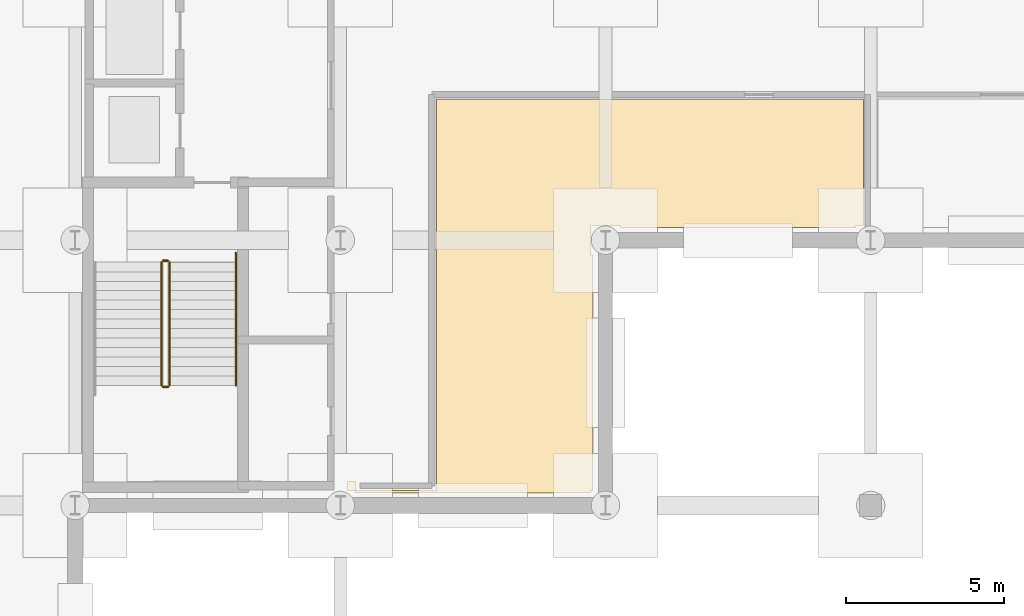
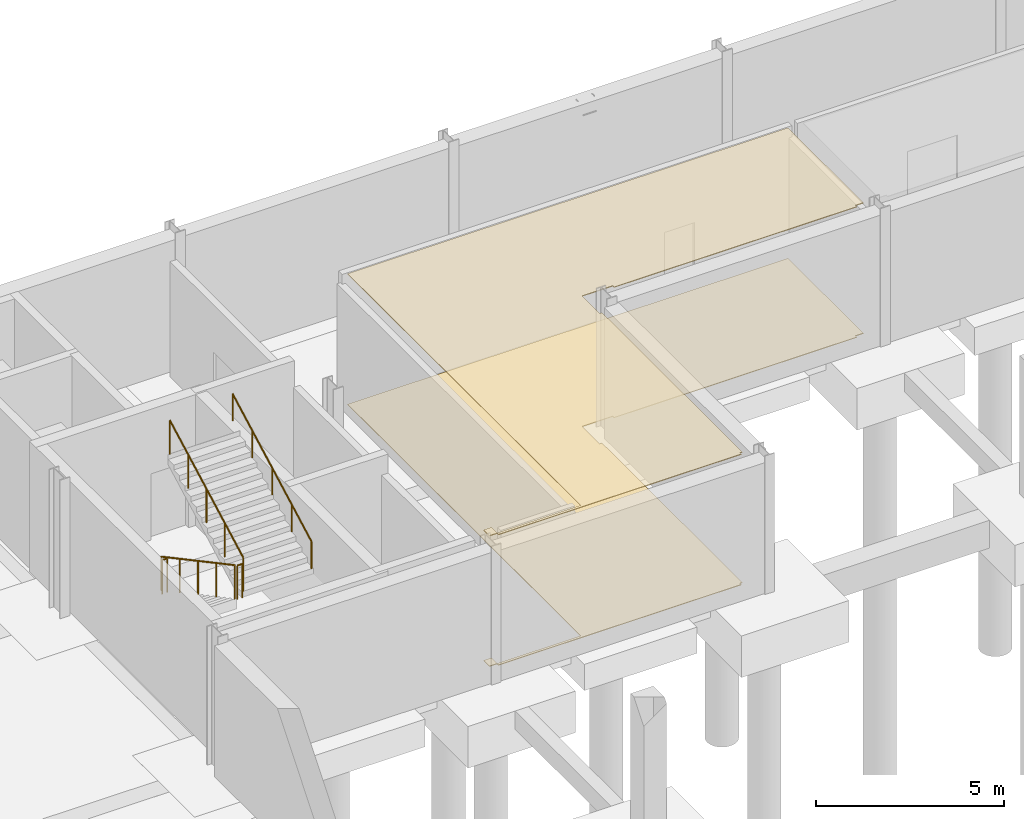
# One storey, part 38 of 43: 5 railings, 2 coverings.
"""IFC4 building model written with IfcOpenShell, lengths in metres."""

from ifc_helpers import new_model, si_unit, direction, frame, origin, origin_2d, place, context, subcontext, project, spatial, polyline, circle, outline, extrude, material, layer, layer_set, type_object, element, save


model = new_model("IFC4")

# Units and contexts
model_context = context("Model", 3, precision=1e-05, world=origin(), true_north=direction((0.0, 1.0)))
body_context = subcontext(model_context, "Body", "Model", "MODEL_VIEW")
ifc_project = project(units=[si_unit("LENGTHUNIT", "METRE"), si_unit("AREAUNIT", "SQUARE_METRE"), si_unit("VOLUMEUNIT", "CUBIC_METRE"), si_unit("PLANEANGLEUNIT", "RADIAN"), si_unit("MASSUNIT", "GRAM", prefix="KILO")], contexts=[model_context])

# Site, building, storey
site_placement = place(None, origin())
site = spatial("IfcSite", under=ifc_project, at=site_placement, CompositionType="ELEMENT")
building_placement = place(site_placement, origin())
building = spatial("IfcBuilding", under=site, at=building_placement, Name="Mersafa Astral City Hall", CompositionType="ELEMENT")
storey_placement = place(building_placement, frame((0.0, 0.0, -4.5)))
storey = spatial("IfcBuildingStorey", under=building, at=storey_placement, Name="B1", CompositionType="ELEMENT", Elevation=-4.5)

# Railings
ifc_material_1 = material(Name="Painted architectural steel stair guard balustrade", Category="steel")
railing_type_1 = type_object("IfcRailingType", Name="GUARD-RAIL", PredefinedType="BALUSTRADE", material=ifc_material_1)
railing_1_placement = place(storey_placement, frame((44.72998046875, 116.89990234375, 0.16064453125)))
element("IfcRailing", 1, at=railing_1_placement, inside=storey, type_object=railing_type_1, Name="B1 ST3 stair guard 1", PredefinedType="BALUSTRADE", context=body_context, shape_type="SweptSolid", body=[
    extrude(circle(Radius=0.02392578125, at=origin_2d()), frame((0.0, 0.0, 1.09619140625), z_axis=(0.0, -0.881468485026, 0.472242850561), x_axis=(1.0, 0.0, 0.0)), (0.0, 0.0, 1.0), 4.42431640625),
    extrude(circle(Radius=0.02099609375, at=origin_2d()), origin(), (0.0, 0.0, 1.0), 1.072021484375),
    extrude(circle(Radius=0.02099609375, at=origin_2d()), frame((0.0, -0.97509765625, 0.5224609375)), (0.0, 0.0, 1.0), 1.072021484375),
    extrude(circle(Radius=0.02099609375, at=origin_2d()), frame((0.0, -1.949951171875, 1.044677734375)), (0.0, 0.0, 1.0), 1.072021484375),
    extrude(circle(Radius=0.02099609375, at=origin_2d()), frame((0.0, -2.9248046875, 1.56689453125)), (0.0, 0.0, 1.0), 1.072021484375),
    extrude(circle(Radius=0.02099609375, at=origin_2d()), frame((0.0, -3.89990234375, 2.08935546875)), (0.0, 0.0, 1.0), 1.072021484375),
])
railing_2_placement = place(storey_placement, frame((44.780029296875, 112.949951171875, 2.25)))
element("IfcRailing", 2, at=railing_2_placement, inside=storey, type_object=railing_type_1, Name="B1 ST3 stair guard 2", PredefinedType="BALUSTRADE", context=body_context, shape_type="SweptSolid", body=[
    extrude(circle(Radius=0.02392578125, at=origin_2d()), frame((0.0, 0.0, 1.09619140625), z_axis=(1.0, 0.0, 0.0), x_axis=(0.0, 1.0, 0.0)), (0.0, 0.0, 1.0), 0.159912109375),
    extrude(circle(Radius=0.02099609375, at=origin_2d()), origin(), (0.0, 0.0, 1.0), 1.072021484375),
    extrude(circle(Radius=0.02099609375, at=origin_2d()), frame((0.159912109375, 0.0, 0.0)), (0.0, 0.0, 1.0), 1.072021484375),
])
railing_3_placement = place(storey_placement, frame((44.989990234375, 113.0, 2.41064453125)))
element("IfcRailing", 3, at=railing_3_placement, inside=storey, type_object=railing_type_1, Name="B1 ST3 stair guard 3", PredefinedType="BALUSTRADE", context=body_context, shape_type="SweptSolid", body=[
    extrude(circle(Radius=0.02392578125, at=origin_2d()), frame((0.0, 0.0, 1.09619140625), z_axis=(0.0, 0.881468485026, 0.472242850561), x_axis=(-1.0, 0.0, 0.0)), (0.0, 0.0, 1.0), 4.42431640625),
    extrude(circle(Radius=0.02099609375, at=origin_2d()), origin(), (0.0, 0.0, 1.0), 1.072021484375),
    extrude(circle(Radius=0.02099609375, at=origin_2d()), frame((0.0, 0.97509765625, 0.5224609375)), (0.0, 0.0, 1.0), 1.072021484375),
    extrude(circle(Radius=0.02099609375, at=origin_2d()), frame((0.0, 1.949951171875, 1.044677734375)), (0.0, 0.0, 1.0), 1.072021484375),
    extrude(circle(Radius=0.02099609375, at=origin_2d()), frame((0.0, 2.9248046875, 1.56689453125)), (0.0, 0.0, 1.0), 1.072021484375),
    extrude(circle(Radius=0.02099609375, at=origin_2d()), frame((0.0, 3.89990234375, 2.08935546875)), (0.0, 0.0, 1.0), 1.072021484375),
])
railing_4_placement = place(storey_placement, frame((44.780029296875, 116.949951171875, 0.0)))
element("IfcRailing", 4, at=railing_4_placement, inside=storey, type_object=railing_type_1, Name="B1 ST3 stair guard 4", PredefinedType="BALUSTRADE", context=body_context, shape_type="SweptSolid", body=[
    extrude(circle(Radius=0.02392578125, at=origin_2d()), frame((0.0, 0.0, 1.09619140625), z_axis=(1.0, 0.0, 0.0), x_axis=(0.0, 1.0, 0.0)), (0.0, 0.0, 1.0), 0.159912109375),
    extrude(circle(Radius=0.02099609375, at=origin_2d()), origin(), (0.0, 0.0, 1.0), 1.072021484375),
    extrude(circle(Radius=0.02099609375, at=origin_2d()), frame((0.159912109375, 0.0, 0.0)), (0.0, 0.0, 1.0), 1.072021484375),
])
ifc_material_2 = material(Name="Brushed stainless steel tubular handrail", Category="steel")
railing_type_2 = type_object("IfcRailingType", Name="HANDRAIL", PredefinedType="HANDRAIL", material=ifc_material_2)
railing_5_placement = place(storey_placement, frame((47.090087890625, 113.0, 2.41064453125)))
element("IfcRailing", 5, at=railing_5_placement, inside=storey, type_object=railing_type_2, Name="B1 ST3 stair handrail 2", PredefinedType="HANDRAIL", context=body_context, shape_type="SweptSolid", body=[
    extrude(circle(Radius=0.02392578125, at=origin_2d()), frame((0.0, 0.0, 0.8759765625), z_axis=(0.0, 0.881200344737, 0.472743008869), x_axis=(-1.0, 0.0, 0.0)), (0.0, 0.0, 1.0), 4.76611328125),
    extrude(circle(Radius=0.02099609375, at=origin_2d()), origin(), (0.0, 0.0, 1.0), 0.851806640625),
    extrude(circle(Radius=0.02099609375, at=origin_2d()), frame((0.0, 1.050048828125, 0.563232421875)), (0.0, 0.0, 1.0), 0.851806640625),
    extrude(circle(Radius=0.02099609375, at=origin_2d()), frame((0.0, 2.10009765625, 1.12646484375)), (0.0, 0.0, 1.0), 0.851806640625),
    extrude(circle(Radius=0.02099609375, at=origin_2d()), frame((0.0, 3.14990234375, 1.68994140625)), (0.0, 0.0, 1.0), 0.851806640625),
    extrude(circle(Radius=0.02099609375, at=origin_2d()), frame((0.0, 4.199951171875, 2.253173828125)), (0.0, 0.0, 1.0), 0.851806640625),
])

# Coverings
ifc_material_3 = material(Name="Perforated acoustic gypsum board ceiling", Category="gypsum")
ifc_layer_1 = layer(ifc_material_3, 0.02490234375, Name="Perforated acoustic gypsum board ceiling")
ifc_layer_set_1 = layer_set([ifc_layer_1], Name="Perforated acoustic gypsum board ceiling — INT-COV-CEIL-25")
covering_type_1 = type_object("IfcCoveringType", Name="INT-COV-CEIL-25", PredefinedType="CEILING", material=ifc_layer_set_1)
covering_1_placement = place(storey_placement, frame((0.0, 0.0, 4.23095703125)))
element("IfcCovering", 6, at=covering_1_placement, inside=storey, type_object=covering_type_1, Name="B1 Emergency Generator Room B1-09 acoustic ceiling", PredefinedType="CEILING", context=body_context, shape_type="SweptSolid", body=[
    extrude(outline(polyline([(50.8701171875, 109.669921875), (50.6298828125, 109.669921875), (50.6298828125, 109.97998046875), (50.8798828125, 109.97998046875), (50.8798828125, 109.679931640625), (53.43994140625, 109.679931640625), (53.43994140625, 122.080078125), (66.969970703125, 122.080078125), (66.969970703125, 118.070068359375), (66.72998046875, 118.070068359375), (66.72998046875, 118.0), (59.27001953125, 118.0), (59.27001953125, 118.070068359375), (58.330078125, 118.070068359375), (58.330078125, 117.1298828125), (58.39990234375, 117.1298828125), (58.39990234375, 109.669921875), (58.330078125, 109.669921875), (58.330078125, 109.60009765625), (50.8701171875, 109.60009765625), (50.8701171875, 109.669921875)])), origin(), (0.0, 0.0, 1.0), 0.025146484375),
])
ifc_material_4 = material(Name="Honed Cairo limestone terrazzo flooring", Category="masonry")
ifc_layer_2 = layer(ifc_material_4, 0.02001953125, Name="Honed Cairo limestone terrazzo flooring")
ifc_layer_set_2 = layer_set([ifc_layer_2], Name="Honed Cairo limestone terrazzo flooring — INT-COV-FLR-20")
covering_type_2 = type_object("IfcCoveringType", Name="INT-COV-FLR-20", PredefinedType="FLOORING", material=ifc_layer_set_2)
covering_2_placement = place(storey_placement, frame((0.0, 0.0, -0.00146484375)))
element("IfcCovering", 7, at=covering_2_placement, inside=storey, type_object=covering_type_2, Name="B1 Emergency Generator Room B1-09 architectural flooring", PredefinedType="FLOORING", context=body_context, shape_type="SweptSolid", body=[
    extrude(outline(polyline([(50.8701171875, 109.669921875), (50.6298828125, 109.669921875), (50.6298828125, 109.97998046875), (50.8798828125, 109.97998046875), (50.8798828125, 109.679931640625), (53.43994140625, 109.679931640625), (53.43994140625, 122.080078125), (66.969970703125, 122.080078125), (66.969970703125, 118.070068359375), (66.72998046875, 118.070068359375), (66.72998046875, 118.0), (59.27001953125, 118.0), (59.27001953125, 118.070068359375), (58.330078125, 118.070068359375), (58.330078125, 117.1298828125), (58.39990234375, 117.1298828125), (58.39990234375, 109.669921875), (58.330078125, 109.669921875), (58.330078125, 109.60009765625), (50.8701171875, 109.60009765625), (50.8701171875, 109.669921875)])), origin(), (0.0, 0.0, 1.0), 0.02001953125),
])

save(model, "model.ifc")
